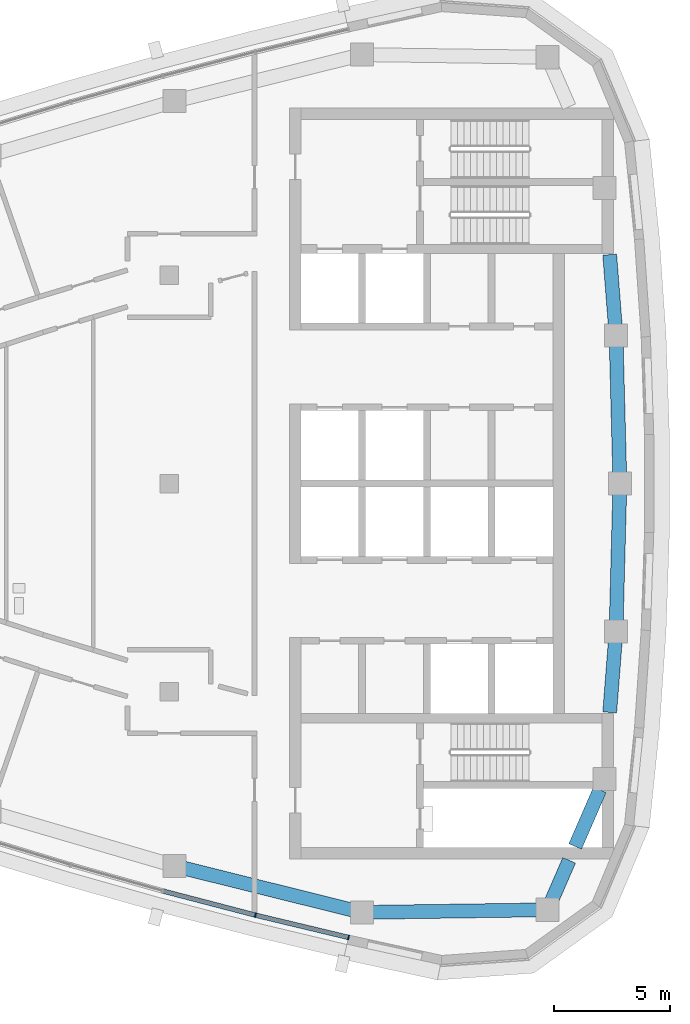
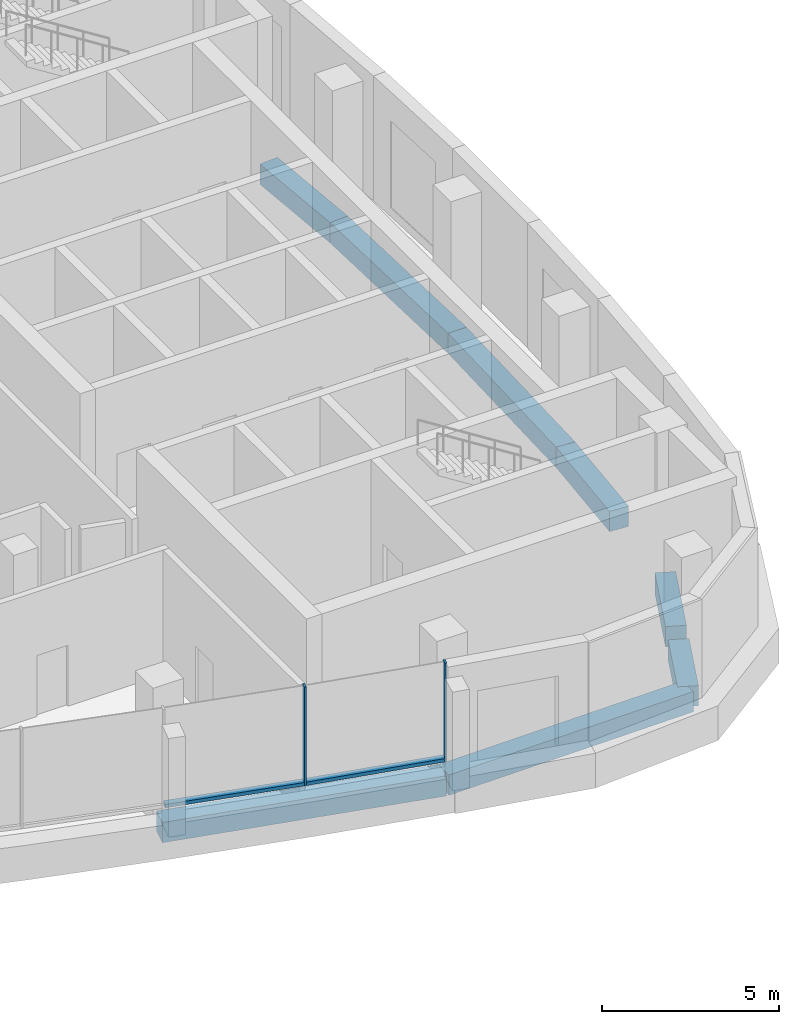
# One storey, part 4 of 15: 8 beams, 4 members, 1 element without a shape of its own.
"""IFC4 building model written with IfcOpenShell, lengths in metres."""

import ifcopenshell
import ifcopenshell.guid

model = None  # the IFC model being written
_history = None  # IfcOwnerHistory: only IFC2X3 demands one
_inside = {}  # id of a spatial element -> (the spatial element, [elements in it])
_under = {}  # id of a project, library or spatial element -> (it, [spatial elements below it])
_declared = {}  # id of a project -> (the project, [libraries it declares])
_typed = {}  # id of a type object -> (the type object, [elements of that type])
_made_of = {}  # id of a material, layer set ... -> (it, [elements and type objects made of it])


def new_model(schema):
    """Start an empty IFC model of exactly this schema.

    Asked for "IFC4X3", IfcOpenShell would pick the latest addendum, in which some entities
    have other attributes; the version numbers below select the first issue.
    IFC2X3 requires an IfcOwnerHistory on every rooted entity: one is made here for all.
    """
    global model, _history
    if schema == "IFC4X3":
        model = ifcopenshell.file(schema_version=(4, 3, 0, 0))
    else:
        model = ifcopenshell.file(schema=schema)
    _inside.clear()
    _under.clear()
    _declared.clear()
    _typed.clear()
    _made_of.clear()
    _history = None
    if model.schema == "IFC2X3":
        org = make("IfcOrganization", Name="unknown")
        user = make(
            "IfcPersonAndOrganization",
            ThePerson=make("IfcPerson", FamilyName="unknown"),
            TheOrganization=org,
        )
        app = make(
            "IfcApplication",
            ApplicationDeveloper=org,
            Version="unknown",
            ApplicationFullName="unknown",
            ApplicationIdentifier="unknown",
        )
        _history = make(
            "IfcOwnerHistory",
            OwningUser=user,
            OwningApplication=app,
            ChangeAction="ADDED",
            CreationDate=0,
        )
    return model


def make(cls, **values):
    """One entity of the class cls with the attributes given. An attribute that is None is left unset."""
    return model.create_entity(
        cls, **{name: value for name, value in values.items() if value is not None}
    )


def rooted(cls, **values):
    """An entity with a GlobalId (a new one), such as an element, a storey or a relation."""
    return make(cls, GlobalId=ifcopenshell.guid.new(), OwnerHistory=_history, **values)


def si_unit(unit_type, name, prefix=None):
    """IfcSIUnit, for example si_unit("LENGTHUNIT", "METRE", prefix="MILLI")."""
    return make("IfcSIUnit", UnitType=unit_type, Prefix=prefix, Name=name)


def assignment(units):
    """IfcUnitAssignment: the units of a project."""
    return None if units is None else make("IfcUnitAssignment", Units=units)


def point(xyz):
    """IfcCartesianPoint."""
    return None if xyz is None else make("IfcCartesianPoint", Coordinates=xyz)


def direction(xyz):
    """IfcDirection."""
    return None if xyz is None else make("IfcDirection", DirectionRatios=xyz)


def frame(location, z_axis=None, x_axis=None):
    """IfcAxis2Placement3D, a coordinate frame: its origin and axes. An axis left out is left unset."""
    return make(
        "IfcAxis2Placement3D",
        Location=point(location),
        Axis=direction(z_axis),
        RefDirection=direction(x_axis),
    )


def frame_2d(location, x_axis=None):
    """IfcAxis2Placement2D, a coordinate frame in the plane: its origin and x axis."""
    return make(
        "IfcAxis2Placement2D", Location=point(location), RefDirection=direction(x_axis)
    )


def origin():
    """The frame at (0, 0, 0) with its axes left unset."""
    return frame((0.0, 0.0, 0.0))


def origin_2d():
    """The frame at (0, 0) in the plane with its x axis left unset."""
    return frame_2d((0.0, 0.0))


def place(relative_to, where):
    """IfcLocalPlacement: puts the frame where relative to a parent placement (None: the world)."""
    return make(
        "IfcLocalPlacement", PlacementRelTo=relative_to, RelativePlacement=where
    )


def context(
    kind, dimensions, precision=None, world=None, true_north=None, identifier=None
):
    """IfcGeometricRepresentationContext, for example the 3D "Model" context."""
    return make(
        "IfcGeometricRepresentationContext",
        ContextIdentifier=identifier,
        ContextType=kind,
        CoordinateSpaceDimension=dimensions,
        Precision=precision,
        WorldCoordinateSystem=world,
        TrueNorth=true_north,
    )


def subcontext(parent, identifier, kind, view, scale=None):
    """IfcGeometricRepresentationSubContext, for example "Body" below "Model"."""
    return make(
        "IfcGeometricRepresentationSubContext",
        ContextIdentifier=identifier,
        ContextType=kind,
        ParentContext=parent,
        TargetScale=scale,
        TargetView=view,
    )


def project(units=None, contexts=None):
    """IfcProject with its units and contexts."""
    return rooted(
        "IfcProject",
        Name="project",
        RepresentationContexts=contexts,
        UnitsInContext=assignment(units),
    )


def spatial(cls, under=None, at=None, **own):
    """A site, building, storey or space (cls), placed at a placement, below another one or the project."""
    s = rooted(cls, ObjectPlacement=at, **own)
    if under is not None:
        _under.setdefault(under.id(), (under, []))[1].append(s)
    return s


def profile(cls, at=None, kind="AREA", **sizes):
    """A parametric profile (cls). Its sizes go by their IFC names, for example OverallWidth=200.0."""
    return make(cls, ProfileType=kind, Position=at, **sizes)


def rectangle(**sizes):
    """IfcRectangleProfileDef."""
    return profile("IfcRectangleProfileDef", **sizes)


def extrude(swept, where, along, depth):
    """IfcExtrudedAreaSolid: the profile swept, set in the frame where, extruded along a direction by depth."""
    return make(
        "IfcExtrudedAreaSolid",
        SweptArea=swept,
        Position=where,
        ExtrudedDirection=direction(along),
        Depth=depth,
    )


def shape(context_of_items, identifier, shape_type, items):
    """IfcShapeRepresentation: the items that make up one representation, for example the "Body"."""
    return make(
        "IfcShapeRepresentation",
        ContextOfItems=context_of_items,
        RepresentationIdentifier=identifier,
        RepresentationType=shape_type,
        Items=items,
    )


def material(Name=None, Category=None):
    """IfcMaterial."""
    return make("IfcMaterial", Name=Name, Category=Category)


def layer(
    of_material, thickness, ventilated=None, Name=None, Category=None, Priority=None
):
    """IfcMaterialLayer: one layer of a wall or slab, of a material (None: an air gap)."""
    return make(
        "IfcMaterialLayer",
        Material=of_material,
        LayerThickness=thickness,
        IsVentilated=ventilated,
        Name=Name,
        Category=Category,
        Priority=Priority,
    )


def layer_set(layers, Name=None):
    """IfcMaterialLayerSet."""
    return make("IfcMaterialLayerSet", MaterialLayers=layers, LayerSetName=Name)


def material_profile(
    of_material, cross_section, Name=None, Category=None, Priority=None
):
    """IfcMaterialProfile: a cross section and its material."""
    return make(
        "IfcMaterialProfile",
        Name=Name,
        Material=of_material,
        Profile=cross_section,
        Priority=Priority,
        Category=Category,
    )


def profile_set(profiles, Name=None, composite=None):
    """IfcMaterialProfileSet."""
    return make(
        "IfcMaterialProfileSet",
        Name=Name,
        MaterialProfiles=profiles,
        CompositeProfile=composite,
    )


def made_of(thing, what):
    """Note that an element or type object is made of a material, layer set ...; save() writes the relation."""
    if what is not None:
        _made_of.setdefault(what.id(), (what, []))[1].append(thing)
    return thing


def type_object(cls, material=None, **own):
    """A type object (cls), such as IfcWallType, which elements share."""
    return made_of(rooted(cls, **own), material)


def element(
    cls,
    number,
    at=None,
    inside=None,
    cuts=None,
    type_object=None,
    material=None,
    context=None,
    identifier="Body",
    shape_type=None,
    held_by="IfcProductDefinitionShape",
    body=None,
    shapes=None,
    **own,
):
    """One element of the class cls, such as IfcWall. Its Tag is "e" and its number.

    at: its placement. inside: the storey or other place that contains it. cuts: it is an
    opening in that element (IfcRelVoidsElement). A single representation is given by context,
    identifier, shape_type and body (its items); several are given by shapes. held_by: the class
    of the entity that holds the representations. save() writes the other relations.
    """
    e = rooted(cls, Tag="e%d" % number, ObjectPlacement=at, **own)
    if body is not None:
        shapes = [shape(context, identifier, shape_type, body)]
    if shapes is not None:
        e.Representation = make(held_by, Representations=shapes)
    if inside is not None:
        _inside.setdefault(inside.id(), (inside, []))[1].append(e)
    if cuts is not None:
        rooted(
            "IfcRelVoidsElement", RelatingBuildingElement=cuts, RelatedOpeningElement=e
        )
    if type_object is not None:
        _typed.setdefault(type_object.id(), (type_object, []))[1].append(e)
    return made_of(e, material)


def aggregate(whole, parts):
    """IfcRelAggregates: a whole, such as a stair, and the parts it consists of."""
    return rooted("IfcRelAggregates", RelatingObject=whole, RelatedObjects=parts)


def save(model, path):
    """Write the relations noted so far, then the file.

    IfcRelAggregates (storeys below a building ...), IfcRelContainedInSpatialStructure (elements
    in a storey), IfcRelDefinesByType, IfcRelAssociatesMaterial and IfcRelDeclares: one each for
    every whole, place, type object, material and project.
    """
    for whole, parts in _under.values():
        aggregate(whole, parts)
    for where, things in _inside.values():
        rooted(
            "IfcRelContainedInSpatialStructure",
            RelatedElements=things,
            RelatingStructure=where,
        )
    for kind, things in _typed.values():
        rooted("IfcRelDefinesByType", RelatedObjects=things, RelatingType=kind)
    for what, things in _made_of.values():
        rooted("IfcRelAssociatesMaterial", RelatedObjects=things, RelatingMaterial=what)
    for by, libraries in _declared.values():
        rooted("IfcRelDeclares", RelatingContext=by, RelatedDefinitions=libraries)
    model.write(path)


model = new_model("IFC4")

# Units and contexts
model_context = context("Model", 3, precision=1e-05, world=origin(), true_north=direction((0.0, 1.0)))
body_context = subcontext(model_context, "Body", "Model", "MODEL_VIEW")
ifc_project = project(units=[si_unit("LENGTHUNIT", "METRE"), si_unit("AREAUNIT", "SQUARE_METRE"), si_unit("VOLUMEUNIT", "CUBIC_METRE"), si_unit("PLANEANGLEUNIT", "RADIAN"), si_unit("MASSUNIT", "GRAM", prefix="KILO")], contexts=[model_context])

# Site, building, storey
site_placement = place(None, origin())
site = spatial("IfcSite", under=ifc_project, at=site_placement, CompositionType="ELEMENT")
building_placement = place(site_placement, origin())
building = spatial("IfcBuilding", under=site, at=building_placement, Name="Ostrand Prow Hotel Tower", CompositionType="ELEMENT")
storey_placement = place(building_placement, frame((0.0, 0.0, 308.60009765625)))
storey = spatial("IfcBuildingStorey", under=building, at=storey_placement, Name="C1", CompositionType="ELEMENT", Elevation=308.60009765625)

# Beams
ifc_material_1 = material(Name="Concrete C40/50", Category="concrete")
ifc_material_profile_1 = material_profile(ifc_material_1, rectangle(XDim=0.60009765625, YDim=0.699951171875, at=origin_2d()), Name="RC 600x700")
ifc_profile_set_1 = profile_set([ifc_material_profile_1], Name="Concrete C40/50")
beam_type = type_object("IfcBeamType", Name="Edge beam 600x700 C40/50", PredefinedType="SPANDREL", material=ifc_profile_set_1)
beam_1_placement = place(storey_placement, frame((45.234619140625, -16.53857421875, -0.650146484375), z_axis=(0.970456465292, -0.241276291775, 0.0), x_axis=(0.241276291775, 0.970456465292, 0.0)))
element("IfcBeam", 1, at=beam_1_placement, inside=storey, type_object=beam_type, Name="Edge beam S5-S6", PredefinedType="SPANDREL", context=body_context, shape_type="SweptSolid", body=[
    extrude(rectangle(XDim=0.60009765625, YDim=0.699951171875, at=origin_2d()), origin(), (0.0, 0.0, 1.0), 8.348876953125),
])
beam_2_placement = place(storey_placement, frame((53.3369140625, -18.552978515625, -0.650146484375), z_axis=(0.999900689486, 0.014092947356, 0.0), x_axis=(-0.014092947356, 0.999900689486, 0.0)))
element("IfcBeam", 2, at=beam_2_placement, inside=storey, type_object=beam_type, Name="Edge beam S6-SE", PredefinedType="SPANDREL", context=body_context, shape_type="SweptSolid", body=[
    extrude(rectangle(XDim=0.60009765625, YDim=0.699951171875, at=origin_2d()), origin(), (0.0, 0.0, 1.0), 8.0380859375),
])
beam_3_placement = place(storey_placement, frame((61.374267578125, -18.439697265625, -0.650146484375), z_axis=(0.398863844187, 0.91701016014, 0.0), x_axis=(-0.91701016014, 0.398863844187, 0.0)))
element("IfcBeam", 3, at=beam_3_placement, inside=storey, type_object=beam_type, Name="Edge beam SE-B1", PredefinedType="SPANDREL", context=body_context, shape_type="SweptSolid", body=[
    extrude(rectangle(XDim=0.60009765625, YDim=0.699951171875, at=origin_2d()), origin(), (0.0, 0.0, 1.0), 2.333251953125),
])
beam_4_placement = place(storey_placement, frame((62.56591796875, -15.699951171875, -0.650146484375), z_axis=(0.398799624102, 0.917038090712, 0.0), x_axis=(-0.917038090712, 0.398799624102, 0.0)))
element("IfcBeam", 4, at=beam_4_placement, inside=storey, type_object=beam_type, Name="Edge beam SE-B1", PredefinedType="SPANDREL", context=body_context, shape_type="SweptSolid", body=[
    extrude(rectangle(XDim=0.60009765625, YDim=0.699951171875, at=origin_2d()), origin(), (0.0, 0.0, 1.0), 2.671630859375),
])
beam_5_placement = place(storey_placement, frame((64.058349609375, -9.89990234375, -0.650146484375), z_axis=(0.078240080308, 0.996934546414, 0.0), x_axis=(-0.996934546414, 0.078240080308, 0.0)))
element("IfcBeam", 5, at=beam_5_placement, inside=storey, type_object=beam_type, Name="Edge beam B1-B2", PredefinedType="SPANDREL", context=body_context, shape_type="SweptSolid", body=[
    extrude(rectangle(XDim=0.60009765625, YDim=0.699951171875, at=origin_2d()), origin(), (0.0, 0.0, 1.0), 3.50732421875),
])
for number, where, z_axis, x_axis, name in (
    (6, (64.332763671875, -6.4033203125, -0.650146484375), (0.026108223987, 0.999659122221, 0.0), (-0.999659122221, 0.026108223987, 0.0), "Edge beam B2-B3"),
    (7, (64.5, 0.0, -0.650146484375), (-0.026108223987, 0.999659122221, 0.0), (-0.999659122221, -0.026108223987, 0.0), "Edge beam B3-B4"),
):
    element("IfcBeam", number, at=place(storey_placement, frame(where, z_axis=z_axis, x_axis=x_axis)), inside=storey, type_object=beam_type, Name=name, PredefinedType="SPANDREL", context=body_context, shape_type="SweptSolid", body=[
        extrude(rectangle(XDim=0.60009765625, YDim=0.699951171875, at=origin_2d()), origin(), (0.0, 0.0, 1.0), 6.405517578125),
    ])
beam_6_placement = place(storey_placement, frame((64.332763671875, 6.4033203125, -0.650146484375), z_axis=(-0.078240080308, 0.996934546414, 0.0), x_axis=(-0.996934546414, -0.078240080308, 0.0)))
element("IfcBeam", 8, at=beam_6_placement, inside=storey, type_object=beam_type, Name="Edge beam B4-B5", PredefinedType="SPANDREL", context=body_context, shape_type="SweptSolid", body=[
    extrude(rectangle(XDim=0.60009765625, YDim=0.699951171875, at=origin_2d()), origin(), (0.0, 0.0, 1.0), 3.50732421875),
])

# Curtain wall, members
ifc_material_2 = material(Name="Insulated glass in bronze anodised frame", Category="glass")
ifc_layer = layer(ifc_material_2, 0.199951171875)
ifc_layer_set = layer_set([ifc_layer], Name="Insulated glass in bronze anodised frame")
curtain_wall_type = type_object("IfcCurtainWallType", Name="Observation and restaurant glazing wall", PredefinedType="NOTDEFINED", material=ifc_layer_set)
curtain_wall_placement = place(storey_placement, origin())
curtain_wall = element("IfcCurtainWall", 9, at=curtain_wall_placement, inside=storey, type_object=curtain_wall_type, Name="CW6 run CWS5", PredefinedType="NOTDEFINED")
ifc_material_3 = material(Name="Bronze anodised aluminium", Category="aluminium")
ifc_material_profile_2 = material_profile(ifc_material_3, rectangle(XDim=0.199951171875, YDim=0.06005859375, at=origin_2d()), Name="Mullion 60x200 bronze anodised aluminium")
ifc_profile_set_2 = profile_set([ifc_material_profile_2], Name="Bronze anodised aluminium")
member_type_1 = type_object("IfcMemberType", Name="Mullion 60x200 bronze anodised aluminium", PredefinedType="MULLION", material=ifc_profile_set_2)
member_1_placement = place(storey_placement, frame((48.734619140625, -18.6708984375, 0.89990234375), z_axis=(0.0, 0.0, 1.0), x_axis=(0.232746096028, 0.972537533869, 0.0)))
member_1 = element("IfcMember", 10, at=member_1_placement, type_object=member_type_1, Name="CW6 mullion 2", PredefinedType="MULLION", context=body_context, shape_type="SweptSolid", body=[
    extrude(rectangle(XDim=0.199951171875, YDim=0.06005859375, at=origin_2d()), origin(), (0.0, 0.0, 1.0), 3.39990234375),
])
member_2_placement = place(storey_placement, frame((52.7607421875, -19.634521484375, 0.89990234375), z_axis=(0.0, 0.0, 1.0), x_axis=(0.232746096028, 0.972537533869, 0.0)))
member_2 = element("IfcMember", 11, at=member_2_placement, type_object=member_type_1, Name="CW6 mullion 3", PredefinedType="MULLION", context=body_context, shape_type="SweptSolid", body=[
    extrude(rectangle(XDim=0.199951171875, YDim=0.06005859375, at=origin_2d()), origin(), (0.0, 0.0, 1.0), 3.39990234375),
])
ifc_material_4 = material(Name="Bronze anodised aluminium", Category="aluminium")
ifc_material_profile_3 = material_profile(ifc_material_4, rectangle(XDim=0.199951171875, YDim=0.1201171875, at=origin_2d()), Name="Transom 120x200 bronze anodised aluminium")
ifc_profile_set_3 = profile_set([ifc_material_profile_3], Name="Bronze anodised aluminium")
member_type_2 = type_object("IfcMemberType", Name="Transom 120x200 bronze anodised aluminium", PredefinedType="USERDEFINED", material=ifc_profile_set_3)
member_3_placement = place(storey_placement, frame((44.7578125, -17.63427734375, 0.9599609375), z_axis=(0.967664917891, -0.252239185461, 0.0), x_axis=(0.252239185461, 0.967664917891, 0.0)))
member_3 = element("IfcMember", 12, at=member_3_placement, type_object=member_type_2, Name="CW6 transom 1.1", ObjectType="TRANSOM", PredefinedType="USERDEFINED", context=body_context, shape_type="SweptSolid", body=[
    extrude(rectangle(XDim=0.199951171875, YDim=0.1201171875, at=origin_2d()), origin(), (0.0, 0.0, 1.0), 4.07958984375),
])
member_4_placement = place(storey_placement, frame((48.763671875, -18.677978515625, 0.9599609375), z_axis=(0.972542980558, -0.232723335675, 0.0), x_axis=(0.232723335675, 0.972542980558, 0.0)))
member_4 = element("IfcMember", 13, at=member_4_placement, type_object=member_type_2, Name="CW6 transom 2.1", ObjectType="TRANSOM", PredefinedType="USERDEFINED", context=body_context, shape_type="SweptSolid", body=[
    extrude(rectangle(XDim=0.199951171875, YDim=0.1201171875, at=origin_2d()), origin(), (0.0, 0.0, 1.0), 4.079833984375),
])
aggregate(curtain_wall, [member_1, member_2, member_3, member_4])

save(model, "model.ifc")
